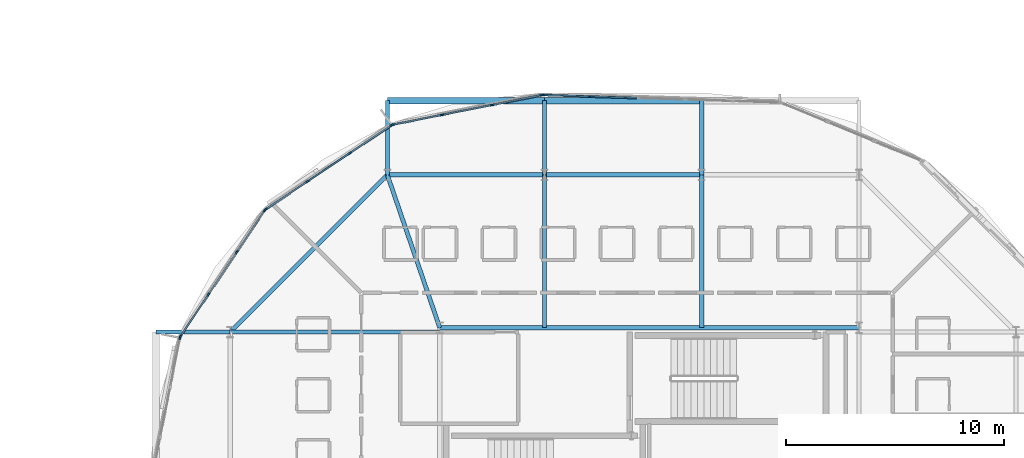
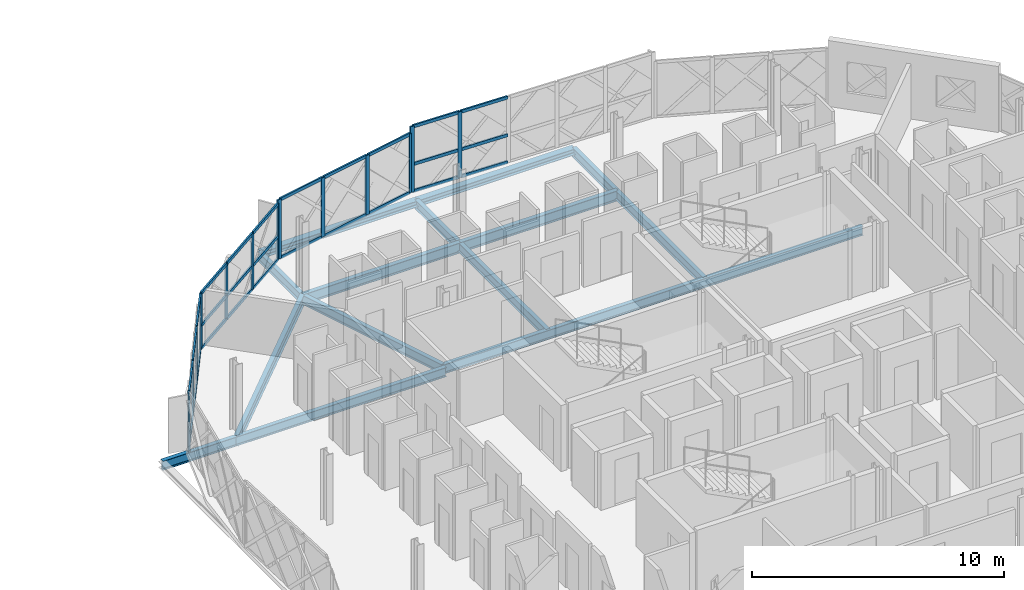
# One storey, part 10 of 26: 42 members, 14 beams, 5 elements without a shape of their own.
"""IFC4 building model written with IfcOpenShell, lengths in metres."""

from ifc_helpers import new_model, si_unit, direction, frame, origin, origin_2d, place, context, subcontext, project, spatial, rectangle, i_section, extrude, material, layer, layer_set, material_profile, profile_set, type_object, element, aggregate, save


model = new_model("IFC4")

# Units and contexts
model_context = context("Model", 3, precision=1e-05, world=origin(), true_north=direction((0.0, 1.0)))
body_context = subcontext(model_context, "Body", "Model", "MODEL_VIEW")
ifc_project = project(units=[si_unit("LENGTHUNIT", "METRE"), si_unit("AREAUNIT", "SQUARE_METRE"), si_unit("VOLUMEUNIT", "CUBIC_METRE"), si_unit("PLANEANGLEUNIT", "RADIAN"), si_unit("MASSUNIT", "GRAM", prefix="KILO")], contexts=[model_context])

# Site, building, storey
site_placement = place(None, origin())
site = spatial("IfcSite", under=ifc_project, at=site_placement, CompositionType="ELEMENT")
building_placement = place(site_placement, origin())
building = spatial("IfcBuilding", under=site, at=building_placement, Name="Zevrakil Square Congress Hotel", CompositionType="ELEMENT")
storey_placement = place(building_placement, frame((0.0, 0.0, 24.89990234375)))
storey = spatial("IfcBuildingStorey", under=building, at=storey_placement, Name="L07", CompositionType="ELEMENT", Elevation=24.89990234375)

# Beams
ifc_material_1 = material(Name="Steel S355", Category="steel")
ifc_material_profile_1 = material_profile(ifc_material_1, i_section(OverallWidth=0.18994140625, OverallDepth=0.449951171875, WebThickness=0.009521484375, FlangeThickness=0.0146484375, FilletRadius=0.02099609375, at=origin_2d()), Name="IPE 450")
ifc_profile_set_1 = profile_set([ifc_material_profile_1], Name="Steel S355")
beam_type_1 = type_object("IfcBeamType", Name="BM-IPE450", PredefinedType="BEAM", material=ifc_profile_set_1)
beam_1_placement = place(storey_placement, frame((156.0, 38.60009765625, -0.429931640625), z_axis=(-1.0, 0.0, 0.0), x_axis=(0.0, -1.0, 0.0)))
element("IfcBeam", 1, at=beam_1_placement, inside=storey, type_object=beam_type_1, Name="L07 drum core perimeter tie beam DCB-03", PredefinedType="BEAM", context=body_context, shape_type="SweptSolid", body=[
    extrude(i_section(OverallWidth=0.18994140625, OverallDepth=0.449951171875, WebThickness=0.009521484375, FlangeThickness=0.0146484375, FilletRadius=0.02099609375, at=origin_2d()), origin(), (0.0, 0.0, 1.0), 19.199951171875),
])
beam_2_placement = place(storey_placement, frame((148.800048828125, 38.60009765625, -0.429931640625), z_axis=(0.0, 1.0, 0.0), x_axis=(-1.0, 0.0, 0.0)))
element("IfcBeam", 2, at=beam_2_placement, inside=storey, type_object=beam_type_1, Name="L07 drum radial floor beam DRI-10", PredefinedType="BEAM", context=body_context, shape_type="SweptSolid", body=[
    extrude(i_section(OverallWidth=0.18994140625, OverallDepth=0.449951171875, WebThickness=0.009521484375, FlangeThickness=0.0146484375, FilletRadius=0.02099609375, at=origin_2d()), origin(), (0.0, 0.0, 1.0), 7.0),
])
beam_3_placement = place(storey_placement, frame((148.800048828125, 45.60009765625, -0.429931640625), z_axis=(0.0, 1.0, 0.0), x_axis=(-1.0, 0.0, 0.0)))
element("IfcBeam", 3, at=beam_3_placement, inside=storey, type_object=beam_type_1, Name="L07 drum radial edge cantilever beam DRO-10", PredefinedType="BEAM", context=body_context, shape_type="SweptSolid", body=[
    extrude(i_section(OverallWidth=0.18994140625, OverallDepth=0.449951171875, WebThickness=0.009521484375, FlangeThickness=0.0146484375, FilletRadius=0.02099609375, at=origin_2d()), origin(), (0.0, 0.0, 1.0), 3.39990234375),
])
beam_4_placement = place(storey_placement, frame((141.60009765625, 38.60009765625, -0.429931640625), z_axis=(0.0, 1.0, 0.0), x_axis=(-1.0, 0.0, 0.0)))
element("IfcBeam", 4, at=beam_4_placement, inside=storey, type_object=beam_type_1, Name="L07 drum radial floor beam DRI-11", PredefinedType="BEAM", context=body_context, shape_type="SweptSolid", body=[
    extrude(i_section(OverallWidth=0.18994140625, OverallDepth=0.449951171875, WebThickness=0.009521484375, FlangeThickness=0.0146484375, FilletRadius=0.02099609375, at=origin_2d()), origin(), (0.0, 0.0, 1.0), 7.0),
])
beam_5_placement = place(storey_placement, frame((141.60009765625, 45.60009765625, -0.429931640625), z_axis=(0.0, 1.0, 0.0), x_axis=(-1.0, 0.0, 0.0)))
element("IfcBeam", 5, at=beam_5_placement, inside=storey, type_object=beam_type_1, Name="L07 drum radial edge cantilever beam DRO-11", PredefinedType="BEAM", context=body_context, shape_type="SweptSolid", body=[
    extrude(i_section(OverallWidth=0.18994140625, OverallDepth=0.449951171875, WebThickness=0.009521484375, FlangeThickness=0.0146484375, FilletRadius=0.02099609375, at=origin_2d()), origin(), (0.0, 0.0, 1.0), 3.39990234375),
])
beam_6_placement = place(storey_placement, frame((136.800048828125, 38.60009765625, -0.429931640625), z_axis=(-0.324342037158, 0.945939872789, 0.0), x_axis=(-0.945939872789, -0.324342037158, 0.0)))
element("IfcBeam", 6, at=beam_6_placement, inside=storey, type_object=beam_type_1, Name="L07 drum radial floor beam DRI-12", PredefinedType="BEAM", context=body_context, shape_type="SweptSolid", body=[
    extrude(i_section(OverallWidth=0.18994140625, OverallDepth=0.449951171875, WebThickness=0.009521484375, FlangeThickness=0.0146484375, FilletRadius=0.02099609375, at=origin_2d()), origin(), (0.0, 0.0, 1.0), 7.400146484375),
])
beam_7_placement = place(storey_placement, frame((134.39990234375, 45.60009765625, -0.429931640625), z_axis=(0.0, 1.0, 0.0), x_axis=(-1.0, 0.0, 0.0)))
element("IfcBeam", 7, at=beam_7_placement, inside=storey, type_object=beam_type_1, Name="L07 drum radial edge cantilever beam DRO-12", PredefinedType="BEAM", context=body_context, shape_type="SweptSolid", body=[
    extrude(i_section(OverallWidth=0.18994140625, OverallDepth=0.449951171875, WebThickness=0.009521484375, FlangeThickness=0.0146484375, FilletRadius=0.02099609375, at=origin_2d()), origin(), (0.0, 0.0, 1.0), 3.39990234375),
])
beam_8_placement = place(storey_placement, frame((136.800048828125, 38.39990234375, -0.429931640625), z_axis=(-1.0, 0.0, 0.0), x_axis=(0.0, -1.0, 0.0)))
element("IfcBeam", 8, at=beam_8_placement, inside=storey, type_object=beam_type_1, Name="L07 drum radial floor beam DRI-13", PredefinedType="BEAM", context=body_context, shape_type="SweptSolid", body=[
    extrude(i_section(OverallWidth=0.18994140625, OverallDepth=0.449951171875, WebThickness=0.009521484375, FlangeThickness=0.0146484375, FilletRadius=0.02099609375, at=origin_2d()), origin(), (0.0, 0.0, 1.0), 9.60009765625),
])
beam_9_placement = place(storey_placement, frame((127.199951171875, 38.39990234375, -0.429931640625), z_axis=(-1.0, 0.0, 0.0), x_axis=(0.0, -1.0, 0.0)))
element("IfcBeam", 9, at=beam_9_placement, inside=storey, type_object=beam_type_1, Name="L07 drum radial edge cantilever beam DRO-13", PredefinedType="BEAM", context=body_context, shape_type="SweptSolid", body=[
    extrude(i_section(OverallWidth=0.18994140625, OverallDepth=0.449951171875, WebThickness=0.009521484375, FlangeThickness=0.0146484375, FilletRadius=0.02099609375, at=origin_2d()), origin(), (0.0, 0.0, 1.0), 3.39990234375),
])
ifc_material_2 = material(Name="Steel S355", Category="steel")
ifc_material_profile_2 = material_profile(ifc_material_2, i_section(OverallWidth=0.199951171875, OverallDepth=0.5, WebThickness=0.01025390625, FlangeThickness=0.01611328125, FilletRadius=0.02099609375, at=origin_2d()), Name="IPE 500")
ifc_profile_set_2 = profile_set([ifc_material_profile_2], Name="Steel S355")
beam_type_2 = type_object("IfcBeamType", Name="BM-IPE500", PredefinedType="BEAM", material=ifc_profile_set_2)
beam_10_placement = place(storey_placement, frame((148.800048828125, 45.60009765625, -0.454833984375), z_axis=(-1.0, 0.0, 0.0), x_axis=(0.0, -1.0, 0.0)))
element("IfcBeam", 10, at=beam_10_placement, inside=storey, type_object=beam_type_2, Name="L07 drum ring girder DRB-10", PredefinedType="BEAM", context=body_context, shape_type="SweptSolid", body=[
    extrude(i_section(OverallWidth=0.199951171875, OverallDepth=0.5, WebThickness=0.01025390625, FlangeThickness=0.01611328125, FilletRadius=0.02099609375, at=origin_2d()), origin(), (0.0, 0.0, 1.0), 7.199951171875),
])
beam_11_placement = place(storey_placement, frame((141.60009765625, 45.60009765625, -0.454833984375), z_axis=(-1.0, 0.0, 0.0), x_axis=(0.0, -1.0, 0.0)))
element("IfcBeam", 11, at=beam_11_placement, inside=storey, type_object=beam_type_2, Name="L07 drum ring girder DRB-11", PredefinedType="BEAM", context=body_context, shape_type="SweptSolid", body=[
    extrude(i_section(OverallWidth=0.199951171875, OverallDepth=0.5, WebThickness=0.01025390625, FlangeThickness=0.01611328125, FilletRadius=0.02099609375, at=origin_2d()), origin(), (0.0, 0.0, 1.0), 7.2001953125),
])
beam_12_placement = place(storey_placement, frame((134.39990234375, 45.60009765625, -0.454833984375), z_axis=(-0.70709479277, -0.7071187694, 0.0), x_axis=(0.7071187694, -0.70709479277, 0.0)))
element("IfcBeam", 12, at=beam_12_placement, inside=storey, type_object=beam_type_2, Name="L07 drum ring girder DRB-12", PredefinedType="BEAM", context=body_context, shape_type="SweptSolid", body=[
    extrude(i_section(OverallWidth=0.199951171875, OverallDepth=0.5, WebThickness=0.01025390625, FlangeThickness=0.01611328125, FilletRadius=0.02099609375, at=origin_2d()), origin(), (0.0, 0.0, 1.0), 10.182373046875),
])

# Curtain wall, members
ifc_material_3 = material(Name="Aluminium Anodised Bronze", Category="aluminium")
ifc_layer_1 = layer(ifc_material_3, 0.179931640625)
ifc_layer_set_1 = layer_set([ifc_layer_1], Name="Aluminium Anodised Bronze")
curtain_wall_type_1 = type_object("IfcCurtainWallType", Name="CW-L07-900", PredefinedType="USERDEFINED", material=ifc_layer_set_1)
curtain_wall_1_placement = place(storey_placement, origin())
curtain_wall_1 = element("IfcCurtainWall", 13, at=curtain_wall_1_placement, inside=storey, type_object=curtain_wall_type_1, Name="L07 diamond curtain wall CW-L07-0226", ObjectType="GLAZED CURTAIN WALL", PredefinedType="USERDEFINED")
ifc_material_4 = material(Name="Aluminium Anodised Bronze", Category="aluminium")
ifc_material_profile_3 = material_profile(ifc_material_4, rectangle(XDim=0.074951171875, YDim=0.14990234375, at=origin_2d()), Name="ALU 75x150")
ifc_profile_set_3 = profile_set([ifc_material_profile_3], Name="Aluminium Anodised Bronze")
member_type_1 = type_object("IfcMemberType", Name="CWM-ALU75x150", PredefinedType="USERDEFINED", material=ifc_profile_set_3)
member_1_placement = place(storey_placement, frame((145.830078125, 49.123046875, 0.030029296875), z_axis=(-0.999503740903, 0.031500347942, 0.0), x_axis=(-0.031500347942, -0.999503740903, 0.0)))
member_1 = element("IfcMember", 14, at=member_1_placement, type_object=member_type_1, Name="CW-84 transom 4.1", ObjectType="TRANSOM", PredefinedType="USERDEFINED", context=body_context, shape_type="SweptSolid", body=[
    extrude(rectangle(XDim=0.074951171875, YDim=0.14990234375, at=origin_2d()), origin(), (0.0, 0.0, 1.0), 2.12353515625),
])
member_2_placement = place(storey_placement, frame((145.830078125, 49.123046875, 1.33984375), z_axis=(-0.999503740903, 0.031500347942, 0.0), x_axis=(-0.031500347942, -0.999503740903, 0.0)))
member_2 = element("IfcMember", 15, at=member_2_placement, type_object=member_type_1, Name="CW-84 transom 4.2", ObjectType="TRANSOM", PredefinedType="USERDEFINED", context=body_context, shape_type="SweptSolid", body=[
    extrude(rectangle(XDim=0.074951171875, YDim=0.14990234375, at=origin_2d()), origin(), (0.0, 0.0, 1.0), 2.12353515625),
])
member_3_placement = place(storey_placement, frame((145.830078125, 49.123046875, 3.16015625), z_axis=(-0.999503740903, 0.031500347942, 0.0), x_axis=(-0.031500347942, -0.999503740903, 0.0)))
member_3 = element("IfcMember", 16, at=member_3_placement, type_object=member_type_1, Name="CW-84 transom 4.3", ObjectType="TRANSOM", PredefinedType="USERDEFINED", context=body_context, shape_type="SweptSolid", body=[
    extrude(rectangle(XDim=0.074951171875, YDim=0.14990234375, at=origin_2d()), origin(), (0.0, 0.0, 1.0), 2.12353515625),
])
member_4_placement = place(storey_placement, frame((143.6474609375, 49.19189453125, 0.030029296875), z_axis=(-0.999500517683, 0.031602454823, 0.0), x_axis=(-0.031602454823, -0.999500517683, 0.0)))
member_4 = element("IfcMember", 17, at=member_4_placement, type_object=member_type_1, Name="CW-84 transom 5.1", ObjectType="TRANSOM", PredefinedType="USERDEFINED", context=body_context, shape_type="SweptSolid", body=[
    extrude(rectangle(XDim=0.074951171875, YDim=0.14990234375, at=origin_2d()), origin(), (0.0, 0.0, 1.0), 2.093505859375),
])
member_5_placement = place(storey_placement, frame((143.6474609375, 49.19189453125, 1.33984375), z_axis=(-0.999500517683, 0.031602454823, 0.0), x_axis=(-0.031602454823, -0.999500517683, 0.0)))
member_5 = element("IfcMember", 18, at=member_5_placement, type_object=member_type_1, Name="CW-84 transom 5.2", ObjectType="TRANSOM", PredefinedType="USERDEFINED", context=body_context, shape_type="SweptSolid", body=[
    extrude(rectangle(XDim=0.074951171875, YDim=0.14990234375, at=origin_2d()), origin(), (0.0, 0.0, 1.0), 2.093505859375),
])
member_6_placement = place(storey_placement, frame((143.6474609375, 49.19189453125, 3.16015625), z_axis=(-0.999500517683, 0.031602454823, 0.0), x_axis=(-0.031602454823, -0.999500517683, 0.0)))
member_6 = element("IfcMember", 19, at=member_6_placement, type_object=member_type_1, Name="CW-84 transom 5.3", ObjectType="TRANSOM", PredefinedType="USERDEFINED", context=body_context, shape_type="SweptSolid", body=[
    extrude(rectangle(XDim=0.074951171875, YDim=0.14990234375, at=origin_2d()), origin(), (0.0, 0.0, 1.0), 2.093505859375),
])

ifc_material_5 = material(Name="Aluminium Anodised Bronze", Category="aluminium")
ifc_layer_2 = layer(ifc_material_5, 0.179931640625)
ifc_layer_set_2 = layer_set([ifc_layer_2], Name="Aluminium Anodised Bronze")
curtain_wall_type_2 = type_object("IfcCurtainWallType", Name="CW-L07-720", PredefinedType="USERDEFINED", material=ifc_layer_set_2)
curtain_wall_2_placement = place(storey_placement, origin())
curtain_wall_2 = element("IfcCurtainWall", 20, at=curtain_wall_2_placement, inside=storey, type_object=curtain_wall_type_2, Name="L07 diamond curtain wall CW-L07-0227", ObjectType="GLAZED CURTAIN WALL", PredefinedType="USERDEFINED")
member_7_placement = place(storey_placement, frame((141.43603515625, 49.248291015625, 0.030029296875), z_axis=(-0.980785085671, -0.195091300997, 0.0), x_axis=(0.195091300997, -0.980785085671, 0.0)))
member_7 = element("IfcMember", 21, at=member_7_placement, type_object=member_type_1, Name="CW-82 transom 1.1", ObjectType="TRANSOM", PredefinedType="USERDEFINED", context=body_context, shape_type="SweptSolid", body=[
    extrude(rectangle(XDim=0.074951171875, YDim=0.14990234375, at=origin_2d()), origin(), (0.0, 0.0, 1.0), 2.2451171875),
])
member_8_placement = place(storey_placement, frame((141.43603515625, 49.248291015625, 2.84521484375), z_axis=(-0.980785085671, -0.195091300997, 0.0), x_axis=(0.195091300997, -0.980785085671, 0.0)))
member_8 = element("IfcMember", 22, at=member_8_placement, type_object=member_type_1, Name="CW-82 transom 1.2", ObjectType="TRANSOM", PredefinedType="USERDEFINED", context=body_context, shape_type="SweptSolid", body=[
    extrude(rectangle(XDim=0.074951171875, YDim=0.14990234375, at=origin_2d()), origin(), (0.0, 0.0, 1.0), 2.2451171875),
])
member_9_placement = place(storey_placement, frame((139.17529296875, 48.798583984375, 0.030029296875), z_axis=(-0.9807905758, -0.19506369837, 0.0), x_axis=(0.19506369837, -0.9807905758, 0.0)))
member_9 = element("IfcMember", 23, at=member_9_placement, type_object=member_type_1, Name="CW-82 transom 2.1", ObjectType="TRANSOM", PredefinedType="USERDEFINED", context=body_context, shape_type="SweptSolid", body=[
    extrude(rectangle(XDim=0.074951171875, YDim=0.14990234375, at=origin_2d()), origin(), (0.0, 0.0, 1.0), 2.275390625),
])
member_10_placement = place(storey_placement, frame((139.17529296875, 48.798583984375, 2.84521484375), z_axis=(-0.9807905758, -0.19506369837, 0.0), x_axis=(0.19506369837, -0.9807905758, 0.0)))
member_10 = element("IfcMember", 24, at=member_10_placement, type_object=member_type_1, Name="CW-82 transom 2.2", ObjectType="TRANSOM", PredefinedType="USERDEFINED", context=body_context, shape_type="SweptSolid", body=[
    extrude(rectangle(XDim=0.074951171875, YDim=0.14990234375, at=origin_2d()), origin(), (0.0, 0.0, 1.0), 2.275390625),
])
member_11_placement = place(storey_placement, frame((136.884765625, 48.343017578125, 0.030029296875), z_axis=(-0.980785085671, -0.195091300997, 0.0), x_axis=(0.195091300997, -0.980785085671, 0.0)))
member_11 = element("IfcMember", 25, at=member_11_placement, type_object=member_type_1, Name="CW-82 transom 3.1", ObjectType="TRANSOM", PredefinedType="USERDEFINED", context=body_context, shape_type="SweptSolid", body=[
    extrude(rectangle(XDim=0.074951171875, YDim=0.14990234375, at=origin_2d()), origin(), (0.0, 0.0, 1.0), 2.2451171875),
])
member_12_placement = place(storey_placement, frame((136.884765625, 48.343017578125, 2.84521484375), z_axis=(-0.980785085671, -0.195091300997, 0.0), x_axis=(0.195091300997, -0.980785085671, 0.0)))
member_12 = element("IfcMember", 26, at=member_12_placement, type_object=member_type_1, Name="CW-82 transom 3.2", ObjectType="TRANSOM", PredefinedType="USERDEFINED", context=body_context, shape_type="SweptSolid", body=[
    extrude(rectangle(XDim=0.074951171875, YDim=0.14990234375, at=origin_2d()), origin(), (0.0, 0.0, 1.0), 2.2451171875),
])

curtain_wall_3_placement = place(storey_placement, origin())
curtain_wall_3 = element("IfcCurtainWall", 27, at=curtain_wall_3_placement, inside=storey, type_object=curtain_wall_type_2, Name="L07 diamond curtain wall CW-L07-0228", ObjectType="GLAZED CURTAIN WALL", PredefinedType="USERDEFINED")
member_13_placement = place(storey_placement, frame((134.573974609375, 47.85986328125, 0.030029296875), z_axis=(-0.831464280743, -0.555578212179, 0.0), x_axis=(0.555578212179, -0.831464280743, 0.0)))
member_13 = element("IfcMember", 28, at=member_13_placement, type_object=member_type_1, Name="CW-82 transom 1.1", ObjectType="TRANSOM", PredefinedType="USERDEFINED", context=body_context, shape_type="SweptSolid", body=[
    extrude(rectangle(XDim=0.074951171875, YDim=0.14990234375, at=origin_2d()), origin(), (0.0, 0.0, 1.0), 2.2451171875),
])
member_14_placement = place(storey_placement, frame((134.573974609375, 47.85986328125, 1.14453125), z_axis=(-0.831464280743, -0.555578212179, 0.0), x_axis=(0.555578212179, -0.831464280743, 0.0)))
member_14 = element("IfcMember", 29, at=member_14_placement, type_object=member_type_1, Name="CW-82 transom 1.2", ObjectType="TRANSOM", PredefinedType="USERDEFINED", context=body_context, shape_type="SweptSolid", body=[
    extrude(rectangle(XDim=0.074951171875, YDim=0.14990234375, at=origin_2d()), origin(), (0.0, 0.0, 1.0), 2.2451171875),
])
member_15_placement = place(storey_placement, frame((134.573974609375, 47.85986328125, 2.695068359375), z_axis=(-0.831464280743, -0.555578212179, 0.0), x_axis=(0.555578212179, -0.831464280743, 0.0)))
member_15 = element("IfcMember", 30, at=member_15_placement, type_object=member_type_1, Name="CW-82 transom 1.3", ObjectType="TRANSOM", PredefinedType="USERDEFINED", context=body_context, shape_type="SweptSolid", body=[
    extrude(rectangle(XDim=0.074951171875, YDim=0.14990234375, at=origin_2d()), origin(), (0.0, 0.0, 1.0), 2.2451171875),
])
member_16_placement = place(storey_placement, frame((132.6572265625, 46.579345703125, 0.030029296875), z_axis=(-0.831422423114, -0.55564085014, 0.0), x_axis=(0.55564085014, -0.831422423114, 0.0)))
member_16 = element("IfcMember", 31, at=member_16_placement, type_object=member_type_1, Name="CW-82 transom 2.1", ObjectType="TRANSOM", PredefinedType="USERDEFINED", context=body_context, shape_type="SweptSolid", body=[
    extrude(rectangle(XDim=0.074951171875, YDim=0.14990234375, at=origin_2d()), origin(), (0.0, 0.0, 1.0), 2.275146484375),
])
member_17_placement = place(storey_placement, frame((132.6572265625, 46.579345703125, 1.14453125), z_axis=(-0.831422423114, -0.55564085014, 0.0), x_axis=(0.55564085014, -0.831422423114, 0.0)))
member_17 = element("IfcMember", 32, at=member_17_placement, type_object=member_type_1, Name="CW-82 transom 2.2", ObjectType="TRANSOM", PredefinedType="USERDEFINED", context=body_context, shape_type="SweptSolid", body=[
    extrude(rectangle(XDim=0.074951171875, YDim=0.14990234375, at=origin_2d()), origin(), (0.0, 0.0, 1.0), 2.275146484375),
])
member_18_placement = place(storey_placement, frame((132.6572265625, 46.579345703125, 2.695068359375), z_axis=(-0.831422423114, -0.55564085014, 0.0), x_axis=(0.55564085014, -0.831422423114, 0.0)))
member_18 = element("IfcMember", 33, at=member_18_placement, type_object=member_type_1, Name="CW-82 transom 2.3", ObjectType="TRANSOM", PredefinedType="USERDEFINED", context=body_context, shape_type="SweptSolid", body=[
    extrude(rectangle(XDim=0.074951171875, YDim=0.14990234375, at=origin_2d()), origin(), (0.0, 0.0, 1.0), 2.275146484375),
])
member_19_placement = place(storey_placement, frame((130.715576171875, 45.28173828125, 0.030029296875), z_axis=(-0.831464280743, -0.555578212179, 0.0), x_axis=(0.555578212179, -0.831464280743, 0.0)))
member_19 = element("IfcMember", 34, at=member_19_placement, type_object=member_type_1, Name="CW-82 transom 3.1", ObjectType="TRANSOM", PredefinedType="USERDEFINED", context=body_context, shape_type="SweptSolid", body=[
    extrude(rectangle(XDim=0.074951171875, YDim=0.14990234375, at=origin_2d()), origin(), (0.0, 0.0, 1.0), 2.2451171875),
])
member_20_placement = place(storey_placement, frame((130.715576171875, 45.28173828125, 1.14453125), z_axis=(-0.831464280743, -0.555578212179, 0.0), x_axis=(0.555578212179, -0.831464280743, 0.0)))
member_20 = element("IfcMember", 35, at=member_20_placement, type_object=member_type_1, Name="CW-82 transom 3.2", ObjectType="TRANSOM", PredefinedType="USERDEFINED", context=body_context, shape_type="SweptSolid", body=[
    extrude(rectangle(XDim=0.074951171875, YDim=0.14990234375, at=origin_2d()), origin(), (0.0, 0.0, 1.0), 2.2451171875),
])
member_21_placement = place(storey_placement, frame((130.715576171875, 45.28173828125, 2.695068359375), z_axis=(-0.831464280743, -0.555578212179, 0.0), x_axis=(0.555578212179, -0.831464280743, 0.0)))
member_21 = element("IfcMember", 36, at=member_21_placement, type_object=member_type_1, Name="CW-82 transom 3.3", ObjectType="TRANSOM", PredefinedType="USERDEFINED", context=body_context, shape_type="SweptSolid", body=[
    extrude(rectangle(XDim=0.074951171875, YDim=0.14990234375, at=origin_2d()), origin(), (0.0, 0.0, 1.0), 2.2451171875),
])

curtain_wall_4_placement = place(storey_placement, origin())
curtain_wall_4 = element("IfcCurtainWall", 37, at=curtain_wall_4_placement, inside=storey, type_object=curtain_wall_type_2, Name="L07 diamond curtain wall CW-L07-0229", ObjectType="GLAZED CURTAIN WALL", PredefinedType="USERDEFINED")
member_22_placement = place(storey_placement, frame((128.765625, 43.951171875, 0.030029296875), z_axis=(-0.555653384358, -0.83141404634, 0.0), x_axis=(0.83141404634, -0.555653384358, 0.0)))
member_22 = element("IfcMember", 38, at=member_22_placement, type_object=member_type_1, Name="CW-82 transom 1.1", ObjectType="TRANSOM", PredefinedType="USERDEFINED", context=body_context, shape_type="SweptSolid", body=[
    extrude(rectangle(XDim=0.074951171875, YDim=0.14990234375, at=origin_2d()), origin(), (0.0, 0.0, 1.0), 2.2451171875),
])
member_23_placement = place(storey_placement, frame((128.765625, 43.951171875, 2.695068359375), z_axis=(-0.555653384358, -0.83141404634, 0.0), x_axis=(0.83141404634, -0.555653384358, 0.0)))
member_23 = element("IfcMember", 39, at=member_23_placement, type_object=member_type_1, Name="CW-82 transom 1.2", ObjectType="TRANSOM", PredefinedType="USERDEFINED", context=body_context, shape_type="SweptSolid", body=[
    extrude(rectangle(XDim=0.074951171875, YDim=0.14990234375, at=origin_2d()), origin(), (0.0, 0.0, 1.0), 2.2451171875),
])
member_24_placement = place(storey_placement, frame((127.48486328125, 42.034423828125, 0.030029296875), z_axis=(-0.55564085014, -0.831422423114, 0.0), x_axis=(0.831422423114, -0.55564085014, 0.0)))
member_24 = element("IfcMember", 40, at=member_24_placement, type_object=member_type_1, Name="CW-82 transom 2.1", ObjectType="TRANSOM", PredefinedType="USERDEFINED", context=body_context, shape_type="SweptSolid", body=[
    extrude(rectangle(XDim=0.074951171875, YDim=0.14990234375, at=origin_2d()), origin(), (0.0, 0.0, 1.0), 2.275146484375),
])
member_25_placement = place(storey_placement, frame((127.48486328125, 42.034423828125, 2.695068359375), z_axis=(-0.55564085014, -0.831422423114, 0.0), x_axis=(0.831422423114, -0.55564085014, 0.0)))
member_25 = element("IfcMember", 41, at=member_25_placement, type_object=member_type_1, Name="CW-82 transom 2.2", ObjectType="TRANSOM", PredefinedType="USERDEFINED", context=body_context, shape_type="SweptSolid", body=[
    extrude(rectangle(XDim=0.074951171875, YDim=0.14990234375, at=origin_2d()), origin(), (0.0, 0.0, 1.0), 2.275146484375),
])
member_26_placement = place(storey_placement, frame((126.1875, 40.0927734375, 0.030029296875), z_axis=(-0.555653384358, -0.83141404634, 0.0), x_axis=(0.83141404634, -0.555653384358, 0.0)))
member_26 = element("IfcMember", 42, at=member_26_placement, type_object=member_type_1, Name="CW-82 transom 3.1", ObjectType="TRANSOM", PredefinedType="USERDEFINED", context=body_context, shape_type="SweptSolid", body=[
    extrude(rectangle(XDim=0.074951171875, YDim=0.14990234375, at=origin_2d()), origin(), (0.0, 0.0, 1.0), 2.2451171875),
])
member_27_placement = place(storey_placement, frame((126.1875, 40.0927734375, 2.695068359375), z_axis=(-0.555653384358, -0.83141404634, 0.0), x_axis=(0.83141404634, -0.555653384358, 0.0)))
member_27 = element("IfcMember", 43, at=member_27_placement, type_object=member_type_1, Name="CW-82 transom 3.2", ObjectType="TRANSOM", PredefinedType="USERDEFINED", context=body_context, shape_type="SweptSolid", body=[
    extrude(rectangle(XDim=0.074951171875, YDim=0.14990234375, at=origin_2d()), origin(), (0.0, 0.0, 1.0), 2.2451171875),
])

# Member
ifc_material_6 = material(Name="Aluminium Anodised Bronze", Category="aluminium")
ifc_material_profile_4 = material_profile(ifc_material_6, rectangle(XDim=0.074951171875, YDim=0.179931640625, at=origin_2d()), Name="ALU 75x180")
ifc_profile_set_4 = profile_set([ifc_material_profile_4], Name="Aluminium Anodised Bronze")
member_type_2 = type_object("IfcMemberType", Name="CWM-ALU75x180", PredefinedType="MULLION", material=ifc_profile_set_4)
member_28_placement = place(storey_placement, frame((143.677490234375, 49.19091796875, 0.0), z_axis=(0.0, 0.0, 1.0), x_axis=(-0.031598464383, -0.999500643846, 0.0)))
member_28 = element("IfcMember", 44, at=member_28_placement, type_object=member_type_2, Name="CW-84 mullion 5", PredefinedType="MULLION", context=body_context, shape_type="SweptSolid", body=[
    extrude(rectangle(XDim=0.074951171875, YDim=0.179931640625, at=origin_2d()), origin(), (0.0, 0.0, 1.0), 3.190185546875),
])

member_29_placement = place(storey_placement, frame((141.52490234375, 49.259033203125, 0.0), z_axis=(0.0, 0.0, 1.0), x_axis=(-0.031598464383, -0.999500643846, 0.0)))
member_29 = element("IfcMember", 45, at=member_29_placement, type_object=member_type_2, Name="CW-84 mullion 6", PredefinedType="MULLION", context=body_context, shape_type="SweptSolid", body=[
    extrude(rectangle(XDim=0.074951171875, YDim=0.179931640625, at=origin_2d()), origin(), (0.0, 0.0, 1.0), 3.190185546875),
])

aggregate(curtain_wall_1, [member_28, member_29, member_1, member_2, member_3, member_4, member_5, member_6])

member_30_placement = place(storey_placement, frame((141.465576171875, 49.254150390625, 0.0), z_axis=(0.0, 0.0, 1.0), x_axis=(0.195083900459, -0.980786557708, 0.0)))
member_30 = element("IfcMember", 46, at=member_30_placement, type_object=member_type_2, Name="CW-82 mullion 1", PredefinedType="MULLION", context=body_context, shape_type="SweptSolid", body=[
    extrude(rectangle(XDim=0.074951171875, YDim=0.179931640625, at=origin_2d()), origin(), (0.0, 0.0, 1.0), 2.875),
])

member_31_placement = place(storey_placement, frame((139.20458984375, 48.804443359375, 0.0), z_axis=(0.0, 0.0, 1.0), x_axis=(0.195083900459, -0.980786557708, 0.0)))
member_31 = element("IfcMember", 47, at=member_31_placement, type_object=member_type_2, Name="CW-82 mullion 2", PredefinedType="MULLION", context=body_context, shape_type="SweptSolid", body=[
    extrude(rectangle(XDim=0.074951171875, YDim=0.179931640625, at=origin_2d()), origin(), (0.0, 0.0, 1.0), 2.875),
])

member_32_placement = place(storey_placement, frame((136.914306640625, 48.348876953125, 0.0), z_axis=(0.0, 0.0, 1.0), x_axis=(0.195083900459, -0.980786557708, 0.0)))
member_32 = element("IfcMember", 48, at=member_32_placement, type_object=member_type_2, Name="CW-82 mullion 3", PredefinedType="MULLION", context=body_context, shape_type="SweptSolid", body=[
    extrude(rectangle(XDim=0.074951171875, YDim=0.179931640625, at=origin_2d()), origin(), (0.0, 0.0, 1.0), 2.875),
])

member_33_placement = place(storey_placement, frame((134.6533203125, 47.899169921875, 0.0), z_axis=(0.0, 0.0, 1.0), x_axis=(0.195083900459, -0.980786557708, 0.0)))
member_33 = element("IfcMember", 49, at=member_33_placement, type_object=member_type_2, Name="CW-82 mullion 4", PredefinedType="MULLION", context=body_context, shape_type="SweptSolid", body=[
    extrude(rectangle(XDim=0.074951171875, YDim=0.179931640625, at=origin_2d()), origin(), (0.0, 0.0, 1.0), 2.875),
])

aggregate(curtain_wall_2, [member_30, member_31, member_32, member_33, member_7, member_8, member_9, member_10, member_11, member_12])

member_34_placement = place(storey_placement, frame((134.598876953125, 47.876708984375, 0.0), z_axis=(0.0, 0.0, 1.0), x_axis=(0.555576098128, -0.831465693332, 0.0)))
member_34 = element("IfcMember", 50, at=member_34_placement, type_object=member_type_2, Name="CW-82 mullion 1", PredefinedType="MULLION", context=body_context, shape_type="SweptSolid", body=[
    extrude(rectangle(XDim=0.074951171875, YDim=0.179931640625, at=origin_2d()), origin(), (0.0, 0.0, 1.0), 2.72509765625),
])

member_35_placement = place(storey_placement, frame((132.68212890625, 46.595947265625, 0.0), z_axis=(0.0, 0.0, 1.0), x_axis=(0.555576098128, -0.831465693332, 0.0)))
member_35 = element("IfcMember", 51, at=member_35_placement, type_object=member_type_2, Name="CW-82 mullion 2", PredefinedType="MULLION", context=body_context, shape_type="SweptSolid", body=[
    extrude(rectangle(XDim=0.074951171875, YDim=0.179931640625, at=origin_2d()), origin(), (0.0, 0.0, 1.0), 2.72509765625),
])

member_36_placement = place(storey_placement, frame((130.740478515625, 45.298583984375, 0.0), z_axis=(0.0, 0.0, 1.0), x_axis=(0.555576098128, -0.831465693332, 0.0)))
member_36 = element("IfcMember", 52, at=member_36_placement, type_object=member_type_2, Name="CW-82 mullion 3", PredefinedType="MULLION", context=body_context, shape_type="SweptSolid", body=[
    extrude(rectangle(XDim=0.074951171875, YDim=0.179931640625, at=origin_2d()), origin(), (0.0, 0.0, 1.0), 2.72509765625),
])

member_37_placement = place(storey_placement, frame((128.82373046875, 44.017822265625, 0.0), z_axis=(0.0, 0.0, 1.0), x_axis=(0.555576098128, -0.831465693332, 0.0)))
member_37 = element("IfcMember", 53, at=member_37_placement, type_object=member_type_2, Name="CW-82 mullion 4", PredefinedType="MULLION", context=body_context, shape_type="SweptSolid", body=[
    extrude(rectangle(XDim=0.074951171875, YDim=0.179931640625, at=origin_2d()), origin(), (0.0, 0.0, 1.0), 2.72509765625),
])

aggregate(curtain_wall_3, [member_34, member_35, member_36, member_37, member_13, member_14, member_15, member_16, member_17, member_18, member_19, member_20, member_21])

member_38_placement = place(storey_placement, frame((128.7822265625, 43.97607421875, 0.0), z_axis=(0.0, 0.0, 1.0), x_axis=(0.831465693332, -0.555576098128, 0.0)))
member_38 = element("IfcMember", 54, at=member_38_placement, type_object=member_type_2, Name="CW-82 mullion 1", PredefinedType="MULLION", context=body_context, shape_type="SweptSolid", body=[
    extrude(rectangle(XDim=0.074951171875, YDim=0.179931640625, at=origin_2d()), origin(), (0.0, 0.0, 1.0), 2.72509765625),
])

member_39_placement = place(storey_placement, frame((127.50146484375, 42.059326171875, 0.0), z_axis=(0.0, 0.0, 1.0), x_axis=(0.831465693332, -0.555576098128, 0.0)))
member_39 = element("IfcMember", 55, at=member_39_placement, type_object=member_type_2, Name="CW-82 mullion 2", PredefinedType="MULLION", context=body_context, shape_type="SweptSolid", body=[
    extrude(rectangle(XDim=0.074951171875, YDim=0.179931640625, at=origin_2d()), origin(), (0.0, 0.0, 1.0), 2.72509765625),
])

member_40_placement = place(storey_placement, frame((126.2041015625, 40.11767578125, 0.0), z_axis=(0.0, 0.0, 1.0), x_axis=(0.831465693332, -0.555576098128, 0.0)))
member_40 = element("IfcMember", 56, at=member_40_placement, type_object=member_type_2, Name="CW-82 mullion 3", PredefinedType="MULLION", context=body_context, shape_type="SweptSolid", body=[
    extrude(rectangle(XDim=0.074951171875, YDim=0.179931640625, at=origin_2d()), origin(), (0.0, 0.0, 1.0), 2.72509765625),
])

member_41_placement = place(storey_placement, frame((124.92333984375, 38.200927734375, 0.0), z_axis=(0.0, 0.0, 1.0), x_axis=(0.831465693332, -0.555576098128, 0.0)))
member_41 = element("IfcMember", 57, at=member_41_placement, type_object=member_type_2, Name="CW-82 mullion 4", PredefinedType="MULLION", context=body_context, shape_type="SweptSolid", body=[
    extrude(rectangle(XDim=0.074951171875, YDim=0.179931640625, at=origin_2d()), origin(), (0.0, 0.0, 1.0), 2.72509765625),
])

aggregate(curtain_wall_4, [member_38, member_39, member_40, member_41, member_22, member_23, member_24, member_25, member_26, member_27])

# Curtain wall, member
curtain_wall_5_placement = place(storey_placement, origin())
curtain_wall_5 = element("IfcCurtainWall", 58, at=curtain_wall_5_placement, inside=storey, type_object=curtain_wall_type_2, Name="L07 diamond curtain wall CW-L07-0230", ObjectType="GLAZED CURTAIN WALL", PredefinedType="USERDEFINED")
member_42_placement = place(storey_placement, frame((124.90087890625, 38.146728515625, 0.0), z_axis=(0.0, 0.0, 1.0), x_axis=(0.980786557708, -0.195083900459, 0.0)))
member_42 = element("IfcMember", 59, at=member_42_placement, type_object=member_type_2, Name="CW-82 mullion 1", PredefinedType="MULLION", context=body_context, shape_type="SweptSolid", body=[
    extrude(rectangle(XDim=0.074951171875, YDim=0.179931640625, at=origin_2d()), origin(), (0.0, 0.0, 1.0), 2.875),
])
aggregate(curtain_wall_5, [member_42])

# Beams
ifc_material_7 = material(Name="Steel S355", Category="steel")
ifc_material_profile_5 = material_profile(ifc_material_7, i_section(OverallWidth=0.300048828125, OverallDepth=0.300048828125, WebThickness=0.010986328125, FlangeThickness=0.01904296875, FilletRadius=0.027099609375, at=origin_2d()), Name="HEB 300")
ifc_profile_set_5 = profile_set([ifc_material_profile_5], Name="Steel S355")
beam_type_3 = type_object("IfcBeamType", Name="SPD-RHS250", PredefinedType="SPANDREL", material=ifc_profile_set_5)
beam_13_placement = place(storey_placement, frame((148.800048828125, 49.0, -0.35498046875), z_axis=(-1.0, 0.0, 0.0), x_axis=(0.0, -1.0, 0.0)))
element("IfcBeam", 60, at=beam_13_placement, inside=storey, type_object=beam_type_3, Name="L07 drum edge spandrel beam DSP-09", PredefinedType="SPANDREL", context=body_context, shape_type="SweptSolid", body=[
    extrude(i_section(OverallWidth=0.300048828125, OverallDepth=0.300048828125, WebThickness=0.010986328125, FlangeThickness=0.01904296875, FilletRadius=0.027099609375, at=origin_2d()), origin(), (0.0, 0.0, 1.0), 7.199951171875),
])
beam_14_placement = place(storey_placement, frame((141.60009765625, 49.0, -0.35498046875), z_axis=(-1.0, 0.0, 0.0), x_axis=(0.0, -1.0, 0.0)))
element("IfcBeam", 61, at=beam_14_placement, inside=storey, type_object=beam_type_3, Name="L07 drum edge spandrel beam DSP-10", PredefinedType="SPANDREL", context=body_context, shape_type="SweptSolid", body=[
    extrude(i_section(OverallWidth=0.300048828125, OverallDepth=0.300048828125, WebThickness=0.010986328125, FlangeThickness=0.01904296875, FilletRadius=0.027099609375, at=origin_2d()), origin(), (0.0, 0.0, 1.0), 7.2001953125),
])

save(model, "model.ifc")
